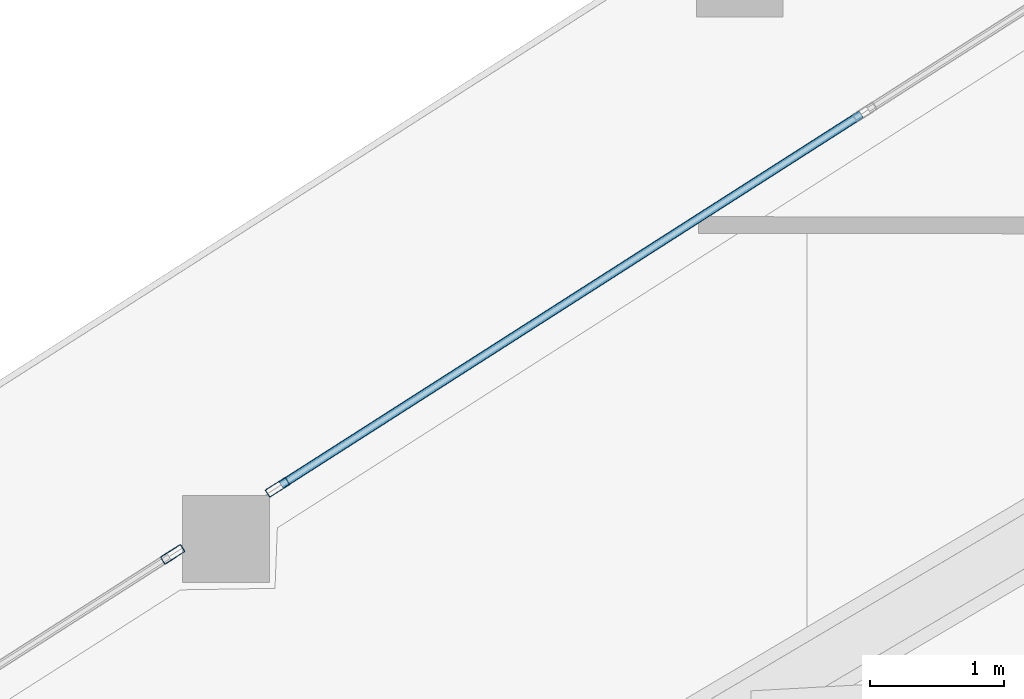
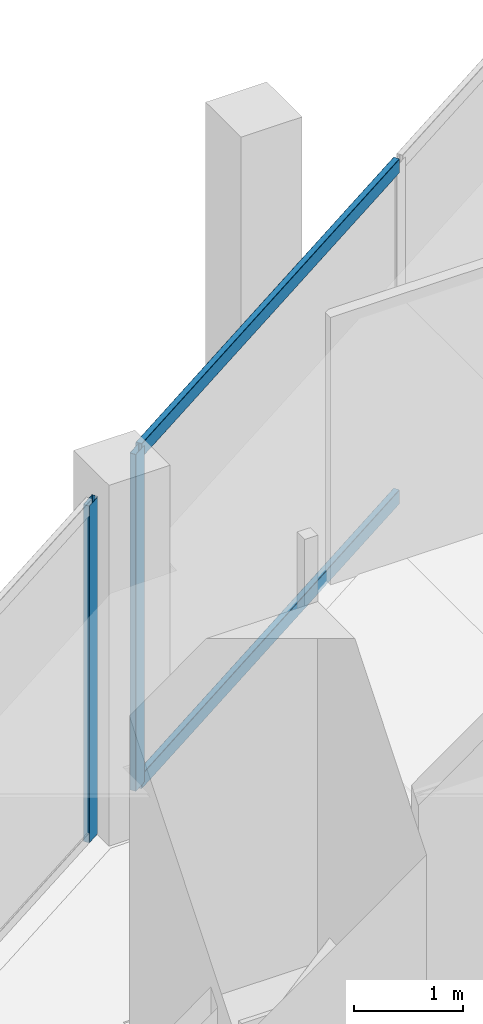
# One storey, part 16 of 43: 4 members, 2 elements without a shape of their own.
"""IFC4 building model written with IfcOpenShell, lengths in metres."""

from ifc_helpers import new_model, si_unit, direction, frame, origin, origin_2d, place, context, subcontext, project, spatial, hollow_rectangle, extrude, material, layer, layer_set, material_profile, profile_set, type_object, element, aggregate, save


model = new_model("IFC4")

# Units and contexts
model_context = context("Model", 3, precision=1e-05, world=origin(), true_north=direction((0.0, 1.0)))
body_context = subcontext(model_context, "Body", "Model", "MODEL_VIEW")
ifc_project = project(units=[si_unit("LENGTHUNIT", "METRE"), si_unit("AREAUNIT", "SQUARE_METRE"), si_unit("VOLUMEUNIT", "CUBIC_METRE"), si_unit("PLANEANGLEUNIT", "RADIAN"), si_unit("MASSUNIT", "GRAM", prefix="KILO")], contexts=[model_context])

# Site, building, storey
site_placement = place(None, origin())
site = spatial("IfcSite", under=ifc_project, at=site_placement, CompositionType="ELEMENT")
building_placement = place(site_placement, origin())
building = spatial("IfcBuilding", under=site, at=building_placement, Name="Qorvath Tower", CompositionType="ELEMENT")
storey_placement = place(building_placement, frame((0.0, 0.0, 213.14990234375)))
storey = spatial("IfcBuildingStorey", under=building, at=storey_placement, Name="L49", CompositionType="ELEMENT", Elevation=213.14990234375)

# Curtain wall, member
ifc_material_1 = material(Name="Anodised aluminium and triple low-E glass", Category="aluminium")
ifc_layer = layer(ifc_material_1, 0.179931640625)
ifc_layer_set = layer_set([ifc_layer], Name="CW-SYS-3")
curtain_wall_type = type_object("IfcCurtainWallType", Name="CW-SYS-3", PredefinedType="NOTDEFINED", material=ifc_layer_set)
curtain_wall_1_placement = place(storey_placement, origin())
curtain_wall_1 = element("IfcCurtainWall", 1, at=curtain_wall_1_placement, inside=storey, type_object=curtain_wall_type, Name="Curtain Wall CW-3 CW-T-L49-16.1", PredefinedType="NOTDEFINED")
ifc_material_2 = material(Name="Anodised aluminium 6063-T6", Category="aluminium")
ifc_material_profile_1 = material_profile(ifc_material_2, hollow_rectangle(XDim=0.06494140625, YDim=0.179931640625, WallThickness=0.00341796875, InnerFilletRadius=0.00341796875, OuterFilletRadius=0.007080078125, at=origin_2d()), Name="CWM 180x65")
ifc_profile_set_1 = profile_set([ifc_material_profile_1], Name="Anodised aluminium 6063-T6")
member_type_1 = type_object("IfcMemberType", Name="CWM-180", PredefinedType="MULLION", material=ifc_profile_set_1)
member_1_placement = place(storey_placement, frame((-48.1923828125, 6.812255859375, 0.0), z_axis=(0.0, 0.0, 1.0), x_axis=(0.538532455845, -0.842604767374, 0.0)))
member_1 = element("IfcMember", 2, at=member_1_placement, type_object=member_type_1, Name="CW-3 mullion 8", PredefinedType="MULLION", context=body_context, shape_type="SweptSolid", body=[
    extrude(hollow_rectangle(XDim=0.06494140625, YDim=0.179931640625, WallThickness=0.00341796875, InnerFilletRadius=0.00341796875, OuterFilletRadius=0.007080078125, at=origin_2d()), origin(), (0.0, 0.0, 1.0), 3.780029296875),
])

curtain_wall_2_placement = place(storey_placement, origin())
curtain_wall_2 = element("IfcCurtainWall", 3, at=curtain_wall_2_placement, inside=storey, type_object=curtain_wall_type, Name="Curtain Wall CW-3 CW-T-L49-16.2", PredefinedType="NOTDEFINED")
member_2_placement = place(storey_placement, frame((-48.975830078125, 6.311279296875, 0.0), z_axis=(0.0, 0.0, 1.0), x_axis=(0.538536522375, -0.842602168326, 0.0)))
member_2 = element("IfcMember", 4, at=member_2_placement, type_object=member_type_1, Name="CW-3 mullion 1", PredefinedType="MULLION", context=body_context, shape_type="SweptSolid", body=[
    extrude(hollow_rectangle(XDim=0.06494140625, YDim=0.179931640625, WallThickness=0.00341796875, InnerFilletRadius=0.00341796875, OuterFilletRadius=0.007080078125, at=origin_2d()), origin(), (0.0, 0.0, 1.0), 3.780029296875),
])
aggregate(curtain_wall_2, [member_2])

# Member
ifc_material_3 = material(Name="Anodised aluminium 6063-T6", Category="aluminium")
ifc_material_profile_2 = material_profile(ifc_material_3, hollow_rectangle(XDim=0.06494140625, YDim=0.159912109375, WallThickness=0.00341796875, InnerFilletRadius=0.00341796875, OuterFilletRadius=0.007080078125, at=origin_2d()), Name="CWT 160x65")
ifc_profile_set_2 = profile_set([ifc_material_profile_2], Name="Anodised aluminium 6063-T6")
member_type_2 = type_object("IfcMemberType", Name="CWT-160", PredefinedType="USERDEFINED", material=ifc_profile_set_2)
member_3_placement = place(storey_placement, frame((-43.829345703125, 9.6005859375, 0.032470703125), z_axis=(-0.842610740644, -0.538523109765, 0.0), x_axis=(0.538523109765, -0.842610740644, 0.0)))
member_3 = element("IfcMember", 5, at=member_3_placement, type_object=member_type_2, Name="CW-3 transom 7.1", ObjectType="TRANSOM", PredefinedType="USERDEFINED", context=body_context, shape_type="SweptSolid", body=[
    extrude(hollow_rectangle(XDim=0.06494140625, YDim=0.159912109375, WallThickness=0.00341796875, InnerFilletRadius=0.00341796875, OuterFilletRadius=0.007080078125, at=origin_2d()), origin(), (0.0, 0.0, 1.0), 5.1455078125),
])

member_4_placement = place(storey_placement, frame((-43.829345703125, 9.6005859375, 3.74755859375), z_axis=(-0.842610740644, -0.538523109765, 0.0), x_axis=(0.538523109765, -0.842610740644, 0.0)))
member_4 = element("IfcMember", 6, at=member_4_placement, type_object=member_type_2, Name="CW-3 transom 7.2", ObjectType="TRANSOM", PredefinedType="USERDEFINED", context=body_context, shape_type="SweptSolid", body=[
    extrude(hollow_rectangle(XDim=0.06494140625, YDim=0.159912109375, WallThickness=0.00341796875, InnerFilletRadius=0.00341796875, OuterFilletRadius=0.007080078125, at=origin_2d()), origin(), (0.0, 0.0, 1.0), 5.1455078125),
])

aggregate(curtain_wall_1, [member_1, member_3, member_4])

save(model, "model.ifc")
